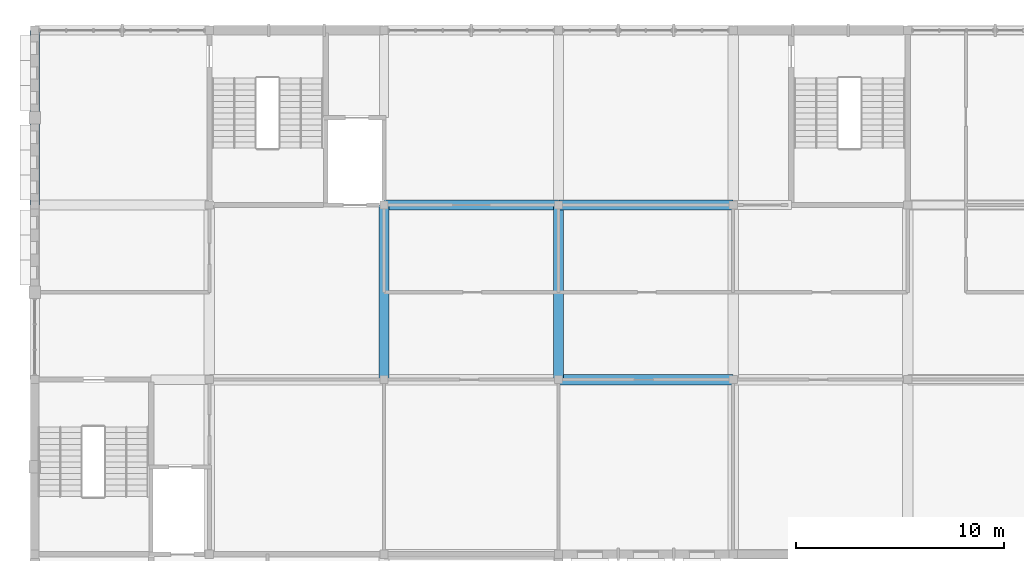
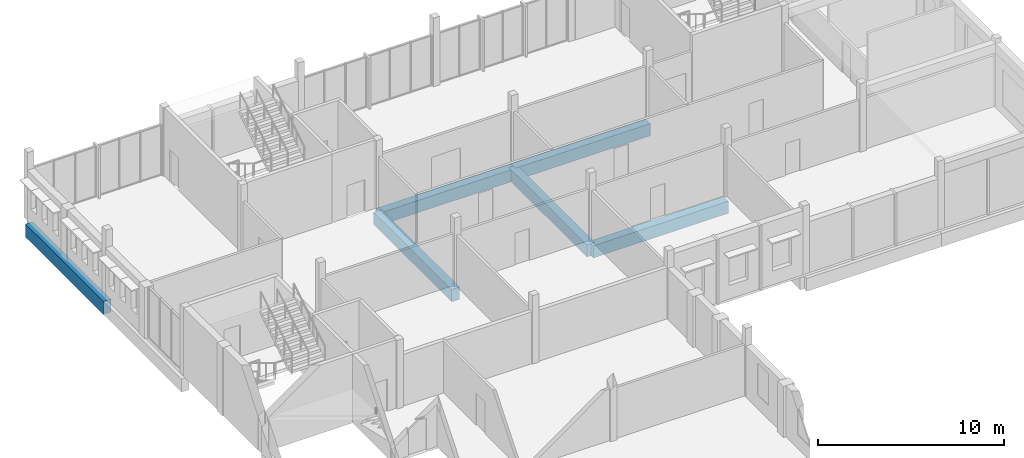
# One storey, part 9 of 22: 6 beams.
"""IFC4 building model written with IfcOpenShell, lengths in metres."""

from ifc_helpers import new_model, si_unit, direction, frame, origin, origin_2d, place, context, subcontext, project, spatial, rectangle, extrude, material, material_profile, profile_set, type_object, element, save


model = new_model("IFC4")

# Units and contexts
model_context = context("Model", 3, precision=1e-05, world=origin(), true_north=direction((0.0, 1.0)))
body_context = subcontext(model_context, "Body", "Model", "MODEL_VIEW")
ifc_project = project(units=[si_unit("LENGTHUNIT", "METRE"), si_unit("AREAUNIT", "SQUARE_METRE"), si_unit("VOLUMEUNIT", "CUBIC_METRE"), si_unit("PLANEANGLEUNIT", "RADIAN"), si_unit("MASSUNIT", "GRAM", prefix="KILO")], contexts=[model_context])

# Site, building, storey
site_placement = place(None, origin())
site = spatial("IfcSite", under=ifc_project, at=site_placement, CompositionType="ELEMENT")
building_placement = place(site_placement, origin())
building = spatial("IfcBuilding", under=site, at=building_placement, Name="Fescue Hill Polytechnic", CompositionType="ELEMENT")
storey_placement = place(building_placement, frame((0.0, 0.0, 27.0)))
storey = spatial("IfcBuildingStorey", under=building, at=storey_placement, Name="L06", CompositionType="ELEMENT", Elevation=27.0)

# Beams
ifc_material = material(Name="Concrete 35 MPa", Category="concrete")
ifc_material_profile_1 = material_profile(ifc_material, rectangle(XDim=0.449951171875, YDim=0.85009765625, at=origin_2d()), Name="RC 450x850")
ifc_profile_set_1 = profile_set([ifc_material_profile_1], Name="Concrete 35 MPa")
beam_type_1 = type_object("IfcBeamType", Name="Beam RC 450x850", PredefinedType="BEAM", material=ifc_profile_set_1)
beam_1_placement = place(storey_placement, frame((0.0, 126.0, -0.72509765625), z_axis=(0.0, 1.0, 0.0), x_axis=(-1.0, 0.0, 0.0)))
element("IfcBeam", 1, at=beam_1_placement, inside=storey, type_object=beam_type_1, Name="BM-L06-0007", PredefinedType="BEAM", context=body_context, shape_type="SweptSolid", body=[
    extrude(rectangle(XDim=0.449951171875, YDim=0.85009765625, at=origin_2d()), origin(), (0.0, 0.0, 1.0), 8.39990234375),
])
ifc_material_profile_2 = material_profile(ifc_material, rectangle(XDim=0.5, YDim=0.800048828125, at=origin_2d()), Name="RC 500x800")
ifc_profile_set_2 = profile_set([ifc_material_profile_2], Name="Concrete 35 MPa")
beam_type_2 = type_object("IfcBeamType", Name="Beam RC 500x800", PredefinedType="BEAM", material=ifc_profile_set_2)
beam_2_placement = place(storey_placement, frame((16.800048828125, 117.60009765625, -0.699951171875), z_axis=(0.0, 1.0, 0.0), x_axis=(-1.0, 0.0, 0.0)))
element("IfcBeam", 2, at=beam_2_placement, inside=storey, type_object=beam_type_2, Name="BM-L06-0040", PredefinedType="BEAM", context=body_context, shape_type="SweptSolid", body=[
    extrude(rectangle(XDim=0.5, YDim=0.800048828125, at=origin_2d()), origin(), (0.0, 0.0, 1.0), 8.39990234375),
])
beam_3_placement = place(storey_placement, frame((16.81005859375, 126.0, -0.699951171875), z_axis=(1.0, 0.0, 0.0), x_axis=(0.0, 1.0, 0.0)))
element("IfcBeam", 3, at=beam_3_placement, inside=storey, type_object=beam_type_2, Name="BM-L06-0049", PredefinedType="BEAM", context=body_context, shape_type="SweptSolid", body=[
    extrude(rectangle(XDim=0.5, YDim=0.800048828125, at=origin_2d()), origin(), (0.0, 0.0, 1.0), 8.3798828125),
])
beam_4_placement = place(storey_placement, frame((25.199951171875, 117.60009765625, -0.699951171875), z_axis=(0.0, 1.0, 0.0), x_axis=(-1.0, 0.0, 0.0)))
element("IfcBeam", 4, at=beam_4_placement, inside=storey, type_object=beam_type_2, Name="BM-L06-0056", PredefinedType="BEAM", context=body_context, shape_type="SweptSolid", body=[
    extrude(rectangle(XDim=0.5, YDim=0.800048828125, at=origin_2d()), origin(), (0.0, 0.0, 1.0), 8.39990234375),
])
beam_5_placement = place(storey_placement, frame((25.199951171875, 117.60009765625, -0.699951171875), z_axis=(1.0, 0.0, 0.0), x_axis=(0.0, 1.0, 0.0)))
element("IfcBeam", 5, at=beam_5_placement, inside=storey, type_object=beam_type_2, Name="BM-L06-0057", PredefinedType="BEAM", context=body_context, shape_type="SweptSolid", body=[
    extrude(rectangle(XDim=0.5, YDim=0.800048828125, at=origin_2d()), origin(), (0.0, 0.0, 1.0), 8.39013671875),
])
beam_6_placement = place(storey_placement, frame((25.2099609375, 126.0, -0.699951171875), z_axis=(1.0, 0.0, 0.0), x_axis=(0.0, 1.0, 0.0)))
element("IfcBeam", 6, at=beam_6_placement, inside=storey, type_object=beam_type_2, Name="BM-L06-0059", PredefinedType="BEAM", context=body_context, shape_type="SweptSolid", body=[
    extrude(rectangle(XDim=0.5, YDim=0.800048828125, at=origin_2d()), origin(), (0.0, 0.0, 1.0), 8.380126953125),
])

save(model, "model.ifc")
